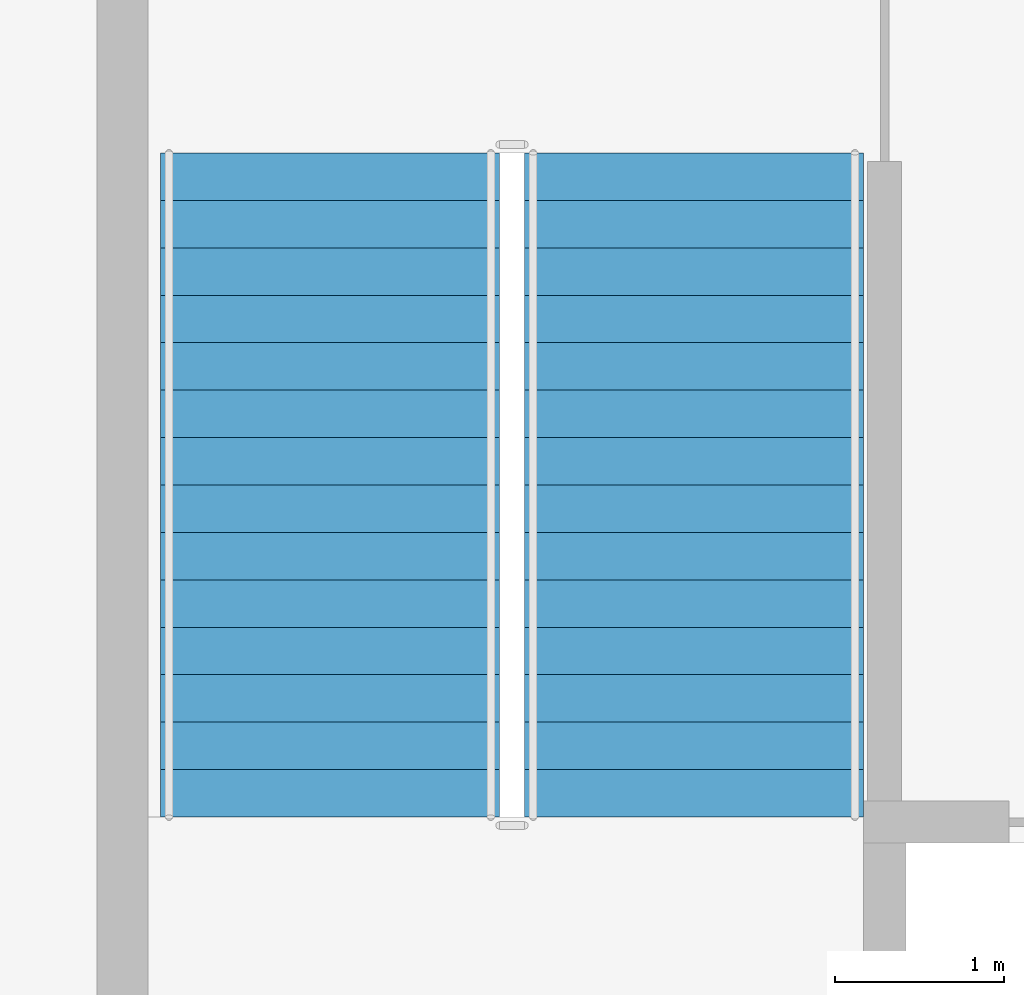
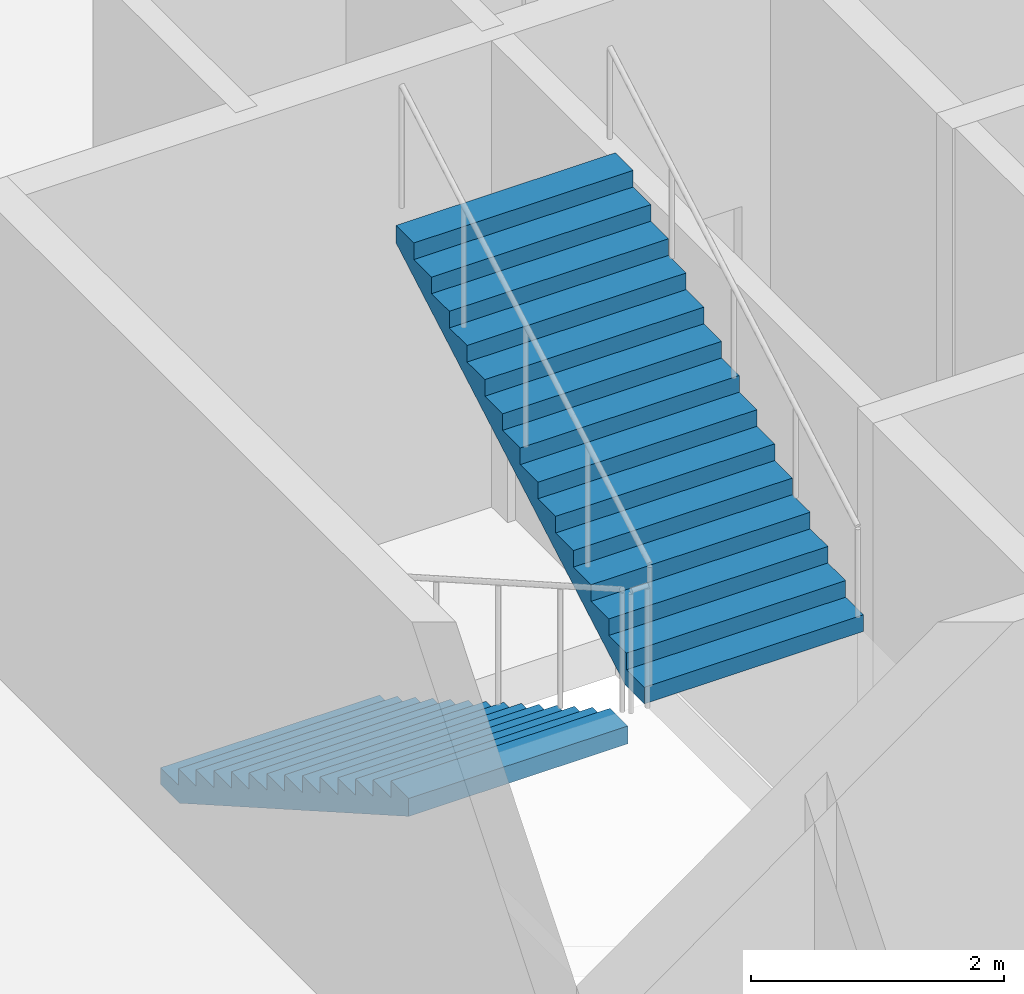
# One storey, part 5 of 10: 2 stair flights, 1 element without a shape of its own.
"""IFC4 building model written with IfcOpenShell, lengths in metres."""

from ifc_helpers import new_model, si_unit, direction, frame, origin, place, context, subcontext, project, spatial, polygons, material, type_object, element, aggregate, save


model = new_model("IFC4")

# Units and contexts
model_context = context("Model", 3, precision=1e-05, world=origin(), true_north=direction((0.0, 1.0)))
body_context = subcontext(model_context, "Body", "Model", "MODEL_VIEW")
ifc_project = project(units=[si_unit("LENGTHUNIT", "METRE"), si_unit("AREAUNIT", "SQUARE_METRE"), si_unit("VOLUMEUNIT", "CUBIC_METRE"), si_unit("PLANEANGLEUNIT", "RADIAN"), si_unit("MASSUNIT", "GRAM", prefix="KILO")], contexts=[model_context])

# Site, building, storey
site_placement = place(None, origin())
site = spatial("IfcSite", under=ifc_project, at=site_placement, CompositionType="ELEMENT")
building_placement = place(site_placement, origin())
building = spatial("IfcBuilding", under=site, at=building_placement, Name="Caravel Reach Hotel and Residences", CompositionType="ELEMENT")
storey_placement = place(building_placement, frame((0.0, 0.0, 96.0)))
storey = spatial("IfcBuildingStorey", under=building, at=storey_placement, Name="L23", CompositionType="ELEMENT", Elevation=96.0)

# Stair, stair flights
ifc_material_1 = material(Name="Concrete C40", Category="concrete")
stair_type = type_object("IfcStairType", Name="Core stair", PredefinedType="HALF_TURN_STAIR", material=ifc_material_1)
stair_placement = place(storey_placement, origin())
stair = element("IfcStair", 1, at=stair_placement, inside=storey, type_object=stair_type, Name="L23 Exit stair A", PredefinedType="HALF_TURN_STAIR")
ifc_material_2 = material(Name="Concrete C40", Category="concrete")
stair_flight_type = type_object("IfcStairFlightType", Name="Core stair flight", PredefinedType="STRAIGHT", material=ifc_material_2)
stair_flight_1_placement = place(storey_placement, frame((19.22509765625, 29.35009765625, 0.0), z_axis=(0.0, 0.0, 1.0), x_axis=(0.0, -1.0, 0.0)))
stair_flight_1 = element("IfcStairFlight", 2, at=stair_flight_1_placement, type_object=stair_flight_type, Name="ST-A flight 1", NumberOfRisers=15, NumberOfTreads=14, PredefinedType="STRAIGHT", RiserHeight=0.16, TreadLength=0.28, context=body_context, shape_type="Tessellation", body=[
    polygons([(0.30213783309663755, 1.0, 0.0), (0.30213783309663755, 0.6666666666666667, 0.0), (0.30213783309663755, 0.33333333333333337, 0.0), (0.30213783309663755, 0.0, 0.0), (0.30213783309663755, -0.33333333333333326, 0.0), (0.30213783309663755, -0.6666666666666667, 0.0), (0.30213783309663755, -1.0, 0.0), (3.9210000000000003, 1.0, 2.0673498096590643), (3.9210000000000003, 0.6666666666666667, 2.0673498096590643), (3.9210000000000003, 0.33333333333333337, 2.0673498096590643), (3.9210000000000003, 0.0, 2.0673498096590643), (3.9210000000000003, -0.33333333333333326, 2.0673498096590643), (3.9210000000000003, -0.6666666666666667, 2.0673498096590643), (3.9210000000000003, -1.0, 2.0673498096590643), (3.9210000000000003, 1.0, 2.24), (3.9210000000000003, 0.6666666666666667, 2.24), (3.9210000000000003, 0.33333333333333337, 2.24), (3.9210000000000003, 0.0, 2.24), (3.9210000000000003, -0.33333333333333326, 2.24), (3.9210000000000003, -0.6666666666666667, 2.24), (3.9210000000000003, -1.0, 2.24), (3.6400000000000006, 1.0, 2.24), (3.6400000000000006, 0.6666666666666667, 2.24), (3.6400000000000006, 0.33333333333333337, 2.24), (3.6400000000000006, 0.0, 2.24), (3.6400000000000006, -0.33333333333333326, 2.24), (3.6400000000000006, -0.6666666666666667, 2.24), (3.6400000000000006, -1.0, 2.24), (3.6400000000000006, 1.0, 2.08), (3.6400000000000006, 0.6666666666666667, 2.08), (3.6400000000000006, 0.33333333333333337, 2.08), (3.6400000000000006, 0.0, 2.08), (3.6400000000000006, -0.33333333333333326, 2.08), (3.6400000000000006, -0.6666666666666667, 2.08), (3.6400000000000006, -1.0, 2.08), (3.3600000000000003, 1.0, 2.08), (3.3600000000000003, 0.6666666666666667, 2.08), (3.3600000000000003, 0.33333333333333337, 2.08), (3.3600000000000003, 0.0, 2.08), (3.3600000000000003, -0.33333333333333326, 2.08), (3.3600000000000003, -0.6666666666666667, 2.08), (3.3600000000000003, -1.0, 2.08), (3.3600000000000003, 1.0, 1.92), (3.3600000000000003, 0.6666666666666667, 1.92), (3.3600000000000003, 0.33333333333333337, 1.92), (3.3600000000000003, 0.0, 1.92), (3.3600000000000003, -0.33333333333333326, 1.92), (3.3600000000000003, -0.6666666666666667, 1.92), (3.3600000000000003, -1.0, 1.92), (3.08, 1.0, 1.92), (3.08, 0.6666666666666667, 1.92), (3.08, 0.33333333333333337, 1.92), (3.08, 0.0, 1.92), (3.08, -0.33333333333333326, 1.92), (3.08, -0.6666666666666667, 1.92), (3.08, -1.0, 1.92), (3.08, 1.0, 1.76), (3.08, 0.6666666666666667, 1.76), (3.08, 0.33333333333333337, 1.76), (3.08, 0.0, 1.76), (3.08, -0.33333333333333326, 1.76), (3.08, -0.6666666666666667, 1.76), (3.08, -1.0, 1.76), (2.8000000000000003, 1.0, 1.76), (2.8000000000000003, 0.6666666666666667, 1.76), (2.8000000000000003, 0.33333333333333337, 1.76), (2.8000000000000003, 0.0, 1.76), (2.8000000000000003, -0.33333333333333326, 1.76), (2.8000000000000003, -0.6666666666666667, 1.76), (2.8000000000000003, -1.0, 1.76), (2.8000000000000003, 1.0, 1.6), (2.8000000000000003, 0.6666666666666667, 1.6), (2.8000000000000003, 0.33333333333333337, 1.6), (2.8000000000000003, 0.0, 1.6), (2.8000000000000003, -0.33333333333333326, 1.6), (2.8000000000000003, -0.6666666666666667, 1.6), (2.8000000000000003, -1.0, 1.6), (2.5200000000000005, 1.0, 1.6), (2.5200000000000005, 0.6666666666666667, 1.6), (2.5200000000000005, 0.33333333333333337, 1.6), (2.5200000000000005, 0.0, 1.6), (2.5200000000000005, -0.33333333333333326, 1.6), (2.5200000000000005, -0.6666666666666667, 1.6), (2.5200000000000005, -1.0, 1.6), (2.5200000000000005, 1.0, 1.44), (2.5200000000000005, 0.6666666666666667, 1.44), (2.5200000000000005, 0.33333333333333337, 1.44), (2.5200000000000005, 0.0, 1.44), (2.5200000000000005, -0.33333333333333326, 1.44), (2.5200000000000005, -0.6666666666666667, 1.44), (2.5200000000000005, -1.0, 1.44), (2.24, 1.0, 1.44), (2.24, 0.6666666666666667, 1.44), (2.24, 0.33333333333333337, 1.44), (2.24, 0.0, 1.44), (2.24, -0.33333333333333326, 1.44), (2.24, -0.6666666666666667, 1.44), (2.24, -1.0, 1.44), (2.24, 1.0, 1.28), (2.24, 0.6666666666666667, 1.28), (2.24, 0.33333333333333337, 1.28), (2.24, 0.0, 1.28), (2.24, -0.33333333333333326, 1.28), (2.24, -0.6666666666666667, 1.28), (2.24, -1.0, 1.28), (1.9600000000000002, 1.0, 1.28), (1.9600000000000002, 0.6666666666666667, 1.28), (1.9600000000000002, 0.33333333333333337, 1.28), (1.9600000000000002, 0.0, 1.28), (1.9600000000000002, -0.33333333333333326, 1.28), (1.9600000000000002, -0.6666666666666667, 1.28), (1.9600000000000002, -1.0, 1.28), (1.9600000000000002, 1.0, 1.12), (1.9600000000000002, 0.6666666666666667, 1.12), (1.9600000000000002, 0.33333333333333337, 1.12), (1.9600000000000002, 0.0, 1.12), (1.9600000000000002, -0.33333333333333326, 1.12), (1.9600000000000002, -0.6666666666666667, 1.12), (1.9600000000000002, -1.0, 1.12), (1.6800000000000002, 1.0, 1.12), (1.6800000000000002, 0.6666666666666667, 1.12), (1.6800000000000002, 0.33333333333333337, 1.12), (1.6800000000000002, 0.0, 1.12), (1.6800000000000002, -0.33333333333333326, 1.12), (1.6800000000000002, -0.6666666666666667, 1.12), (1.6800000000000002, -1.0, 1.12), (1.6800000000000002, 1.0, 0.96), (1.6800000000000002, 0.6666666666666667, 0.96), (1.6800000000000002, 0.33333333333333337, 0.96), (1.6800000000000002, 0.0, 0.96), (1.6800000000000002, -0.33333333333333326, 0.96), (1.6800000000000002, -0.6666666666666667, 0.96), (1.6800000000000002, -1.0, 0.96), (1.4000000000000001, 1.0, 0.96), (1.4000000000000001, 0.6666666666666667, 0.96), (1.4000000000000001, 0.33333333333333337, 0.96), (1.4000000000000001, 0.0, 0.96), (1.4000000000000001, -0.33333333333333326, 0.96), (1.4000000000000001, -0.6666666666666667, 0.96), (1.4000000000000001, -1.0, 0.96), (1.4000000000000001, 1.0, 0.8), (1.4000000000000001, 0.6666666666666667, 0.8), (1.4000000000000001, 0.33333333333333337, 0.8), (1.4000000000000001, 0.0, 0.8), (1.4000000000000001, -0.33333333333333326, 0.8), (1.4000000000000001, -0.6666666666666667, 0.8), (1.4000000000000001, -1.0, 0.8), (1.12, 1.0, 0.8), (1.12, 0.6666666666666667, 0.8), (1.12, 0.33333333333333337, 0.8), (1.12, 0.0, 0.8), (1.12, -0.33333333333333326, 0.8), (1.12, -0.6666666666666667, 0.8), (1.12, -1.0, 0.8), (1.12, 1.0, 0.64), (1.12, 0.6666666666666667, 0.64), (1.12, 0.33333333333333337, 0.64), (1.12, 0.0, 0.64), (1.12, -0.33333333333333326, 0.64), (1.12, -0.6666666666666667, 0.64), (1.12, -1.0, 0.64), (0.8400000000000001, 1.0, 0.64), (0.8400000000000001, 0.6666666666666667, 0.64), (0.8400000000000001, 0.33333333333333337, 0.64), (0.8400000000000001, 0.0, 0.64), (0.8400000000000001, -0.33333333333333326, 0.64), (0.8400000000000001, -0.6666666666666667, 0.64), (0.8400000000000001, -1.0, 0.64), (0.8400000000000001, 1.0, 0.48), (0.8400000000000001, 0.6666666666666667, 0.48), (0.8400000000000001, 0.33333333333333337, 0.48), (0.8400000000000001, 0.0, 0.48), (0.8400000000000001, -0.33333333333333326, 0.48), (0.8400000000000001, -0.6666666666666667, 0.48), (0.8400000000000001, -1.0, 0.48), (0.56, 1.0, 0.48), (0.56, 0.6666666666666667, 0.48), (0.56, 0.33333333333333337, 0.48), (0.56, 0.0, 0.48), (0.56, -0.33333333333333326, 0.48), (0.56, -0.6666666666666667, 0.48), (0.56, -1.0, 0.48), (0.56, 1.0, 0.32), (0.56, 0.6666666666666667, 0.32), (0.56, 0.33333333333333337, 0.32), (0.56, 0.0, 0.32), (0.56, -0.33333333333333326, 0.32), (0.56, -0.6666666666666667, 0.32), (0.56, -1.0, 0.32), (0.28, 1.0, 0.32), (0.28, 0.6666666666666667, 0.32), (0.28, 0.33333333333333337, 0.32), (0.28, 0.0, 0.32), (0.28, -0.33333333333333326, 0.32), (0.28, -0.6666666666666667, 0.32), (0.28, -1.0, 0.32), (0.28, 1.0, 0.16), (0.28, 0.6666666666666667, 0.16), (0.28, 0.33333333333333337, 0.16), (0.28, 0.0, 0.16), (0.28, -0.33333333333333326, 0.16), (0.28, -0.6666666666666667, 0.16), (0.28, -1.0, 0.16), (-0.001, 1.0, 0.16), (-0.001, 0.6666666666666667, 0.16), (-0.001, 0.33333333333333337, 0.16), (-0.001, 0.0, 0.16), (-0.001, -0.33333333333333326, 0.16), (-0.001, -0.6666666666666667, 0.16), (-0.001, -1.0, 0.16), (-0.001, 1.0, 0.0), (-0.001, 0.6666666666666667, 0.0), (-0.001, 0.33333333333333337, 0.0), (-0.001, 0.0, 0.0), (-0.001, -0.33333333333333326, 0.0), (-0.001, -0.6666666666666667, 0.0), (-0.001, -1.0, 0.0)], [[[211, 204, 197, 190, 183, 176, 169, 162, 155, 148, 141, 134, 127, 120, 113, 106, 99, 92, 85, 78, 71, 64, 57, 50, 43, 36, 29, 22, 15, 8, 1]], [[7, 14, 21, 28, 35, 42, 49, 56, 63, 70, 77, 84, 91, 98, 105, 112, 119, 126, 133, 140, 147, 154, 161, 168, 175, 182, 189, 196, 203, 210, 217]], [[1, 8, 9, 2]], [[2, 9, 10, 3]], [[3, 10, 11, 4]], [[4, 11, 12, 5]], [[5, 12, 13, 6]], [[6, 13, 14, 7]], [[8, 15, 16, 9]], [[9, 16, 17, 10]], [[10, 17, 18, 11]], [[11, 18, 19, 12]], [[12, 19, 20, 13]], [[13, 20, 21, 14]], [[15, 22, 23, 16]], [[16, 23, 24, 17]], [[17, 24, 25, 18]], [[18, 25, 26, 19]], [[19, 26, 27, 20]], [[20, 27, 28, 21]], [[22, 29, 30, 23]], [[23, 30, 31, 24]], [[24, 31, 32, 25]], [[25, 32, 33, 26]], [[26, 33, 34, 27]], [[27, 34, 35, 28]], [[29, 36, 37, 30]], [[30, 37, 38, 31]], [[31, 38, 39, 32]], [[32, 39, 40, 33]], [[33, 40, 41, 34]], [[34, 41, 42, 35]], [[36, 43, 44, 37]], [[37, 44, 45, 38]], [[38, 45, 46, 39]], [[39, 46, 47, 40]], [[40, 47, 48, 41]], [[41, 48, 49, 42]], [[43, 50, 51, 44]], [[44, 51, 52, 45]], [[45, 52, 53, 46]], [[46, 53, 54, 47]], [[47, 54, 55, 48]], [[48, 55, 56, 49]], [[50, 57, 58, 51]], [[51, 58, 59, 52]], [[52, 59, 60, 53]], [[53, 60, 61, 54]], [[54, 61, 62, 55]], [[55, 62, 63, 56]], [[57, 64, 65, 58]], [[58, 65, 66, 59]], [[59, 66, 67, 60]], [[60, 67, 68, 61]], [[61, 68, 69, 62]], [[62, 69, 70, 63]], [[64, 71, 72, 65]], [[65, 72, 73, 66]], [[66, 73, 74, 67]], [[67, 74, 75, 68]], [[68, 75, 76, 69]], [[69, 76, 77, 70]], [[71, 78, 79, 72]], [[72, 79, 80, 73]], [[73, 80, 81, 74]], [[74, 81, 82, 75]], [[75, 82, 83, 76]], [[76, 83, 84, 77]], [[78, 85, 86, 79]], [[79, 86, 87, 80]], [[80, 87, 88, 81]], [[81, 88, 89, 82]], [[82, 89, 90, 83]], [[83, 90, 91, 84]], [[85, 92, 93, 86]], [[86, 93, 94, 87]], [[87, 94, 95, 88]], [[88, 95, 96, 89]], [[89, 96, 97, 90]], [[90, 97, 98, 91]], [[92, 99, 100, 93]], [[93, 100, 101, 94]], [[94, 101, 102, 95]], [[95, 102, 103, 96]], [[96, 103, 104, 97]], [[97, 104, 105, 98]], [[99, 106, 107, 100]], [[100, 107, 108, 101]], [[101, 108, 109, 102]], [[102, 109, 110, 103]], [[103, 110, 111, 104]], [[104, 111, 112, 105]], [[106, 113, 114, 107]], [[107, 114, 115, 108]], [[108, 115, 116, 109]], [[109, 116, 117, 110]], [[110, 117, 118, 111]], [[111, 118, 119, 112]], [[113, 120, 121, 114]], [[114, 121, 122, 115]], [[115, 122, 123, 116]], [[116, 123, 124, 117]], [[117, 124, 125, 118]], [[118, 125, 126, 119]], [[120, 127, 128, 121]], [[121, 128, 129, 122]], [[122, 129, 130, 123]], [[123, 130, 131, 124]], [[124, 131, 132, 125]], [[125, 132, 133, 126]], [[127, 134, 135, 128]], [[128, 135, 136, 129]], [[129, 136, 137, 130]], [[130, 137, 138, 131]], [[131, 138, 139, 132]], [[132, 139, 140, 133]], [[134, 141, 142, 135]], [[135, 142, 143, 136]], [[136, 143, 144, 137]], [[137, 144, 145, 138]], [[138, 145, 146, 139]], [[139, 146, 147, 140]], [[141, 148, 149, 142]], [[142, 149, 150, 143]], [[143, 150, 151, 144]], [[144, 151, 152, 145]], [[145, 152, 153, 146]], [[146, 153, 154, 147]], [[148, 155, 156, 149]], [[149, 156, 157, 150]], [[150, 157, 158, 151]], [[151, 158, 159, 152]], [[152, 159, 160, 153]], [[153, 160, 161, 154]], [[155, 162, 163, 156]], [[156, 163, 164, 157]], [[157, 164, 165, 158]], [[158, 165, 166, 159]], [[159, 166, 167, 160]], [[160, 167, 168, 161]], [[162, 169, 170, 163]], [[163, 170, 171, 164]], [[164, 171, 172, 165]], [[165, 172, 173, 166]], [[166, 173, 174, 167]], [[167, 174, 175, 168]], [[169, 176, 177, 170]], [[170, 177, 178, 171]], [[171, 178, 179, 172]], [[172, 179, 180, 173]], [[173, 180, 181, 174]], [[174, 181, 182, 175]], [[176, 183, 184, 177]], [[177, 184, 185, 178]], [[178, 185, 186, 179]], [[179, 186, 187, 180]], [[180, 187, 188, 181]], [[181, 188, 189, 182]], [[183, 190, 191, 184]], [[184, 191, 192, 185]], [[185, 192, 193, 186]], [[186, 193, 194, 187]], [[187, 194, 195, 188]], [[188, 195, 196, 189]], [[190, 197, 198, 191]], [[191, 198, 199, 192]], [[192, 199, 200, 193]], [[193, 200, 201, 194]], [[194, 201, 202, 195]], [[195, 202, 203, 196]], [[197, 204, 205, 198]], [[198, 205, 206, 199]], [[199, 206, 207, 200]], [[200, 207, 208, 201]], [[201, 208, 209, 202]], [[202, 209, 210, 203]], [[204, 211, 212, 205]], [[205, 212, 213, 206]], [[206, 213, 214, 207]], [[207, 214, 215, 208]], [[208, 215, 216, 209]], [[209, 216, 217, 210]], [[211, 1, 2, 212]], [[212, 2, 3, 213]], [[213, 3, 4, 214]], [[214, 4, 5, 215]], [[215, 5, 6, 216]], [[216, 6, 7, 217]]], closed=True),
])
stair_flight_2_placement = place(storey_placement, frame((21.375, 25.429931640625, 2.39990234375), z_axis=(0.0, 0.0, 1.0), x_axis=(0.0, 1.0, 0.0)))
stair_flight_2 = element("IfcStairFlight", 3, at=stair_flight_2_placement, type_object=stair_flight_type, Name="ST-A flight 2", NumberOfRisers=15, NumberOfTreads=14, PredefinedType="STRAIGHT", RiserHeight=0.16, TreadLength=0.28, context=body_context, shape_type="Tessellation", body=[
    polygons([(0.30213783309663755, 1.0, 0.0), (0.30213783309663755, 0.6666666666666667, 0.0), (0.30213783309663755, 0.33333333333333337, 0.0), (0.30213783309663755, 0.0, 0.0), (0.30213783309663755, -0.33333333333333326, 0.0), (0.30213783309663755, -0.6666666666666667, 0.0), (0.30213783309663755, -1.0, 0.0), (3.9210000000000003, 1.0, 2.0673498096590643), (3.9210000000000003, 0.6666666666666667, 2.0673498096590643), (3.9210000000000003, 0.33333333333333337, 2.0673498096590643), (3.9210000000000003, 0.0, 2.0673498096590643), (3.9210000000000003, -0.33333333333333326, 2.0673498096590643), (3.9210000000000003, -0.6666666666666667, 2.0673498096590643), (3.9210000000000003, -1.0, 2.0673498096590643), (3.9210000000000003, 1.0, 2.24), (3.9210000000000003, 0.6666666666666667, 2.24), (3.9210000000000003, 0.33333333333333337, 2.24), (3.9210000000000003, 0.0, 2.24), (3.9210000000000003, -0.33333333333333326, 2.24), (3.9210000000000003, -0.6666666666666667, 2.24), (3.9210000000000003, -1.0, 2.24), (3.6400000000000006, 1.0, 2.24), (3.6400000000000006, 0.6666666666666667, 2.24), (3.6400000000000006, 0.33333333333333337, 2.24), (3.6400000000000006, 0.0, 2.24), (3.6400000000000006, -0.33333333333333326, 2.24), (3.6400000000000006, -0.6666666666666667, 2.24), (3.6400000000000006, -1.0, 2.24), (3.6400000000000006, 1.0, 2.08), (3.6400000000000006, 0.6666666666666667, 2.08), (3.6400000000000006, 0.33333333333333337, 2.08), (3.6400000000000006, 0.0, 2.08), (3.6400000000000006, -0.33333333333333326, 2.08), (3.6400000000000006, -0.6666666666666667, 2.08), (3.6400000000000006, -1.0, 2.08), (3.3600000000000003, 1.0, 2.08), (3.3600000000000003, 0.6666666666666667, 2.08), (3.3600000000000003, 0.33333333333333337, 2.08), (3.3600000000000003, 0.0, 2.08), (3.3600000000000003, -0.33333333333333326, 2.08), (3.3600000000000003, -0.6666666666666667, 2.08), (3.3600000000000003, -1.0, 2.08), (3.3600000000000003, 1.0, 1.92), (3.3600000000000003, 0.6666666666666667, 1.92), (3.3600000000000003, 0.33333333333333337, 1.92), (3.3600000000000003, 0.0, 1.92), (3.3600000000000003, -0.33333333333333326, 1.92), (3.3600000000000003, -0.6666666666666667, 1.92), (3.3600000000000003, -1.0, 1.92), (3.08, 1.0, 1.92), (3.08, 0.6666666666666667, 1.92), (3.08, 0.33333333333333337, 1.92), (3.08, 0.0, 1.92), (3.08, -0.33333333333333326, 1.92), (3.08, -0.6666666666666667, 1.92), (3.08, -1.0, 1.92), (3.08, 1.0, 1.76), (3.08, 0.6666666666666667, 1.76), (3.08, 0.33333333333333337, 1.76), (3.08, 0.0, 1.76), (3.08, -0.33333333333333326, 1.76), (3.08, -0.6666666666666667, 1.76), (3.08, -1.0, 1.76), (2.8000000000000003, 1.0, 1.76), (2.8000000000000003, 0.6666666666666667, 1.76), (2.8000000000000003, 0.33333333333333337, 1.76), (2.8000000000000003, 0.0, 1.76), (2.8000000000000003, -0.33333333333333326, 1.76), (2.8000000000000003, -0.6666666666666667, 1.76), (2.8000000000000003, -1.0, 1.76), (2.8000000000000003, 1.0, 1.6), (2.8000000000000003, 0.6666666666666667, 1.6), (2.8000000000000003, 0.33333333333333337, 1.6), (2.8000000000000003, 0.0, 1.6), (2.8000000000000003, -0.33333333333333326, 1.6), (2.8000000000000003, -0.6666666666666667, 1.6), (2.8000000000000003, -1.0, 1.6), (2.5200000000000005, 1.0, 1.6), (2.5200000000000005, 0.6666666666666667, 1.6), (2.5200000000000005, 0.33333333333333337, 1.6), (2.5200000000000005, 0.0, 1.6), (2.5200000000000005, -0.33333333333333326, 1.6), (2.5200000000000005, -0.6666666666666667, 1.6), (2.5200000000000005, -1.0, 1.6), (2.5200000000000005, 1.0, 1.44), (2.5200000000000005, 0.6666666666666667, 1.44), (2.5200000000000005, 0.33333333333333337, 1.44), (2.5200000000000005, 0.0, 1.44), (2.5200000000000005, -0.33333333333333326, 1.44), (2.5200000000000005, -0.6666666666666667, 1.44), (2.5200000000000005, -1.0, 1.44), (2.24, 1.0, 1.44), (2.24, 0.6666666666666667, 1.44), (2.24, 0.33333333333333337, 1.44), (2.24, 0.0, 1.44), (2.24, -0.33333333333333326, 1.44), (2.24, -0.6666666666666667, 1.44), (2.24, -1.0, 1.44), (2.24, 1.0, 1.28), (2.24, 0.6666666666666667, 1.28), (2.24, 0.33333333333333337, 1.28), (2.24, 0.0, 1.28), (2.24, -0.33333333333333326, 1.28), (2.24, -0.6666666666666667, 1.28), (2.24, -1.0, 1.28), (1.9600000000000002, 1.0, 1.28), (1.9600000000000002, 0.6666666666666667, 1.28), (1.9600000000000002, 0.33333333333333337, 1.28), (1.9600000000000002, 0.0, 1.28), (1.9600000000000002, -0.33333333333333326, 1.28), (1.9600000000000002, -0.6666666666666667, 1.28), (1.9600000000000002, -1.0, 1.28), (1.9600000000000002, 1.0, 1.12), (1.9600000000000002, 0.6666666666666667, 1.12), (1.9600000000000002, 0.33333333333333337, 1.12), (1.9600000000000002, 0.0, 1.12), (1.9600000000000002, -0.33333333333333326, 1.12), (1.9600000000000002, -0.6666666666666667, 1.12), (1.9600000000000002, -1.0, 1.12), (1.6800000000000002, 1.0, 1.12), (1.6800000000000002, 0.6666666666666667, 1.12), (1.6800000000000002, 0.33333333333333337, 1.12), (1.6800000000000002, 0.0, 1.12), (1.6800000000000002, -0.33333333333333326, 1.12), (1.6800000000000002, -0.6666666666666667, 1.12), (1.6800000000000002, -1.0, 1.12), (1.6800000000000002, 1.0, 0.96), (1.6800000000000002, 0.6666666666666667, 0.96), (1.6800000000000002, 0.33333333333333337, 0.96), (1.6800000000000002, 0.0, 0.96), (1.6800000000000002, -0.33333333333333326, 0.96), (1.6800000000000002, -0.6666666666666667, 0.96), (1.6800000000000002, -1.0, 0.96), (1.4000000000000001, 1.0, 0.96), (1.4000000000000001, 0.6666666666666667, 0.96), (1.4000000000000001, 0.33333333333333337, 0.96), (1.4000000000000001, 0.0, 0.96), (1.4000000000000001, -0.33333333333333326, 0.96), (1.4000000000000001, -0.6666666666666667, 0.96), (1.4000000000000001, -1.0, 0.96), (1.4000000000000001, 1.0, 0.8), (1.4000000000000001, 0.6666666666666667, 0.8), (1.4000000000000001, 0.33333333333333337, 0.8), (1.4000000000000001, 0.0, 0.8), (1.4000000000000001, -0.33333333333333326, 0.8), (1.4000000000000001, -0.6666666666666667, 0.8), (1.4000000000000001, -1.0, 0.8), (1.12, 1.0, 0.8), (1.12, 0.6666666666666667, 0.8), (1.12, 0.33333333333333337, 0.8), (1.12, 0.0, 0.8), (1.12, -0.33333333333333326, 0.8), (1.12, -0.6666666666666667, 0.8), (1.12, -1.0, 0.8), (1.12, 1.0, 0.64), (1.12, 0.6666666666666667, 0.64), (1.12, 0.33333333333333337, 0.64), (1.12, 0.0, 0.64), (1.12, -0.33333333333333326, 0.64), (1.12, -0.6666666666666667, 0.64), (1.12, -1.0, 0.64), (0.8400000000000001, 1.0, 0.64), (0.8400000000000001, 0.6666666666666667, 0.64), (0.8400000000000001, 0.33333333333333337, 0.64), (0.8400000000000001, 0.0, 0.64), (0.8400000000000001, -0.33333333333333326, 0.64), (0.8400000000000001, -0.6666666666666667, 0.64), (0.8400000000000001, -1.0, 0.64), (0.8400000000000001, 1.0, 0.48), (0.8400000000000001, 0.6666666666666667, 0.48), (0.8400000000000001, 0.33333333333333337, 0.48), (0.8400000000000001, 0.0, 0.48), (0.8400000000000001, -0.33333333333333326, 0.48), (0.8400000000000001, -0.6666666666666667, 0.48), (0.8400000000000001, -1.0, 0.48), (0.56, 1.0, 0.48), (0.56, 0.6666666666666667, 0.48), (0.56, 0.33333333333333337, 0.48), (0.56, 0.0, 0.48), (0.56, -0.33333333333333326, 0.48), (0.56, -0.6666666666666667, 0.48), (0.56, -1.0, 0.48), (0.56, 1.0, 0.32), (0.56, 0.6666666666666667, 0.32), (0.56, 0.33333333333333337, 0.32), (0.56, 0.0, 0.32), (0.56, -0.33333333333333326, 0.32), (0.56, -0.6666666666666667, 0.32), (0.56, -1.0, 0.32), (0.28, 1.0, 0.32), (0.28, 0.6666666666666667, 0.32), (0.28, 0.33333333333333337, 0.32), (0.28, 0.0, 0.32), (0.28, -0.33333333333333326, 0.32), (0.28, -0.6666666666666667, 0.32), (0.28, -1.0, 0.32), (0.28, 1.0, 0.16), (0.28, 0.6666666666666667, 0.16), (0.28, 0.33333333333333337, 0.16), (0.28, 0.0, 0.16), (0.28, -0.33333333333333326, 0.16), (0.28, -0.6666666666666667, 0.16), (0.28, -1.0, 0.16), (-0.001, 1.0, 0.16), (-0.001, 0.6666666666666667, 0.16), (-0.001, 0.33333333333333337, 0.16), (-0.001, 0.0, 0.16), (-0.001, -0.33333333333333326, 0.16), (-0.001, -0.6666666666666667, 0.16), (-0.001, -1.0, 0.16), (-0.001, 1.0, 0.0), (-0.001, 0.6666666666666667, 0.0), (-0.001, 0.33333333333333337, 0.0), (-0.001, 0.0, 0.0), (-0.001, -0.33333333333333326, 0.0), (-0.001, -0.6666666666666667, 0.0), (-0.001, -1.0, 0.0)], [[[211, 204, 197, 190, 183, 176, 169, 162, 155, 148, 141, 134, 127, 120, 113, 106, 99, 92, 85, 78, 71, 64, 57, 50, 43, 36, 29, 22, 15, 8, 1]], [[7, 14, 21, 28, 35, 42, 49, 56, 63, 70, 77, 84, 91, 98, 105, 112, 119, 126, 133, 140, 147, 154, 161, 168, 175, 182, 189, 196, 203, 210, 217]], [[1, 8, 9, 2]], [[2, 9, 10, 3]], [[3, 10, 11, 4]], [[4, 11, 12, 5]], [[5, 12, 13, 6]], [[6, 13, 14, 7]], [[8, 15, 16, 9]], [[9, 16, 17, 10]], [[10, 17, 18, 11]], [[11, 18, 19, 12]], [[12, 19, 20, 13]], [[13, 20, 21, 14]], [[15, 22, 23, 16]], [[16, 23, 24, 17]], [[17, 24, 25, 18]], [[18, 25, 26, 19]], [[19, 26, 27, 20]], [[20, 27, 28, 21]], [[22, 29, 30, 23]], [[23, 30, 31, 24]], [[24, 31, 32, 25]], [[25, 32, 33, 26]], [[26, 33, 34, 27]], [[27, 34, 35, 28]], [[29, 36, 37, 30]], [[30, 37, 38, 31]], [[31, 38, 39, 32]], [[32, 39, 40, 33]], [[33, 40, 41, 34]], [[34, 41, 42, 35]], [[36, 43, 44, 37]], [[37, 44, 45, 38]], [[38, 45, 46, 39]], [[39, 46, 47, 40]], [[40, 47, 48, 41]], [[41, 48, 49, 42]], [[43, 50, 51, 44]], [[44, 51, 52, 45]], [[45, 52, 53, 46]], [[46, 53, 54, 47]], [[47, 54, 55, 48]], [[48, 55, 56, 49]], [[50, 57, 58, 51]], [[51, 58, 59, 52]], [[52, 59, 60, 53]], [[53, 60, 61, 54]], [[54, 61, 62, 55]], [[55, 62, 63, 56]], [[57, 64, 65, 58]], [[58, 65, 66, 59]], [[59, 66, 67, 60]], [[60, 67, 68, 61]], [[61, 68, 69, 62]], [[62, 69, 70, 63]], [[64, 71, 72, 65]], [[65, 72, 73, 66]], [[66, 73, 74, 67]], [[67, 74, 75, 68]], [[68, 75, 76, 69]], [[69, 76, 77, 70]], [[71, 78, 79, 72]], [[72, 79, 80, 73]], [[73, 80, 81, 74]], [[74, 81, 82, 75]], [[75, 82, 83, 76]], [[76, 83, 84, 77]], [[78, 85, 86, 79]], [[79, 86, 87, 80]], [[80, 87, 88, 81]], [[81, 88, 89, 82]], [[82, 89, 90, 83]], [[83, 90, 91, 84]], [[85, 92, 93, 86]], [[86, 93, 94, 87]], [[87, 94, 95, 88]], [[88, 95, 96, 89]], [[89, 96, 97, 90]], [[90, 97, 98, 91]], [[92, 99, 100, 93]], [[93, 100, 101, 94]], [[94, 101, 102, 95]], [[95, 102, 103, 96]], [[96, 103, 104, 97]], [[97, 104, 105, 98]], [[99, 106, 107, 100]], [[100, 107, 108, 101]], [[101, 108, 109, 102]], [[102, 109, 110, 103]], [[103, 110, 111, 104]], [[104, 111, 112, 105]], [[106, 113, 114, 107]], [[107, 114, 115, 108]], [[108, 115, 116, 109]], [[109, 116, 117, 110]], [[110, 117, 118, 111]], [[111, 118, 119, 112]], [[113, 120, 121, 114]], [[114, 121, 122, 115]], [[115, 122, 123, 116]], [[116, 123, 124, 117]], [[117, 124, 125, 118]], [[118, 125, 126, 119]], [[120, 127, 128, 121]], [[121, 128, 129, 122]], [[122, 129, 130, 123]], [[123, 130, 131, 124]], [[124, 131, 132, 125]], [[125, 132, 133, 126]], [[127, 134, 135, 128]], [[128, 135, 136, 129]], [[129, 136, 137, 130]], [[130, 137, 138, 131]], [[131, 138, 139, 132]], [[132, 139, 140, 133]], [[134, 141, 142, 135]], [[135, 142, 143, 136]], [[136, 143, 144, 137]], [[137, 144, 145, 138]], [[138, 145, 146, 139]], [[139, 146, 147, 140]], [[141, 148, 149, 142]], [[142, 149, 150, 143]], [[143, 150, 151, 144]], [[144, 151, 152, 145]], [[145, 152, 153, 146]], [[146, 153, 154, 147]], [[148, 155, 156, 149]], [[149, 156, 157, 150]], [[150, 157, 158, 151]], [[151, 158, 159, 152]], [[152, 159, 160, 153]], [[153, 160, 161, 154]], [[155, 162, 163, 156]], [[156, 163, 164, 157]], [[157, 164, 165, 158]], [[158, 165, 166, 159]], [[159, 166, 167, 160]], [[160, 167, 168, 161]], [[162, 169, 170, 163]], [[163, 170, 171, 164]], [[164, 171, 172, 165]], [[165, 172, 173, 166]], [[166, 173, 174, 167]], [[167, 174, 175, 168]], [[169, 176, 177, 170]], [[170, 177, 178, 171]], [[171, 178, 179, 172]], [[172, 179, 180, 173]], [[173, 180, 181, 174]], [[174, 181, 182, 175]], [[176, 183, 184, 177]], [[177, 184, 185, 178]], [[178, 185, 186, 179]], [[179, 186, 187, 180]], [[180, 187, 188, 181]], [[181, 188, 189, 182]], [[183, 190, 191, 184]], [[184, 191, 192, 185]], [[185, 192, 193, 186]], [[186, 193, 194, 187]], [[187, 194, 195, 188]], [[188, 195, 196, 189]], [[190, 197, 198, 191]], [[191, 198, 199, 192]], [[192, 199, 200, 193]], [[193, 200, 201, 194]], [[194, 201, 202, 195]], [[195, 202, 203, 196]], [[197, 204, 205, 198]], [[198, 205, 206, 199]], [[199, 206, 207, 200]], [[200, 207, 208, 201]], [[201, 208, 209, 202]], [[202, 209, 210, 203]], [[204, 211, 212, 205]], [[205, 212, 213, 206]], [[206, 213, 214, 207]], [[207, 214, 215, 208]], [[208, 215, 216, 209]], [[209, 216, 217, 210]], [[211, 1, 2, 212]], [[212, 2, 3, 213]], [[213, 3, 4, 214]], [[214, 4, 5, 215]], [[215, 5, 6, 216]], [[216, 6, 7, 217]]], closed=True),
])
aggregate(stair, [stair_flight_1, stair_flight_2])

save(model, "model.ifc")
